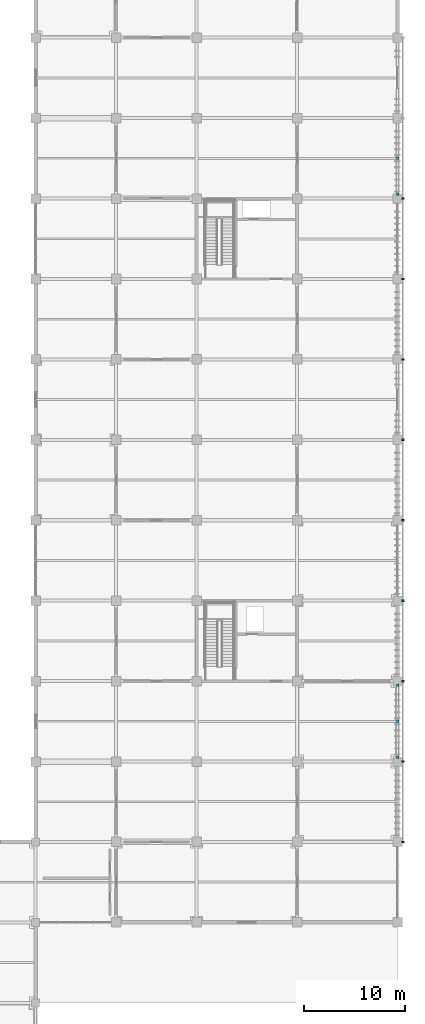
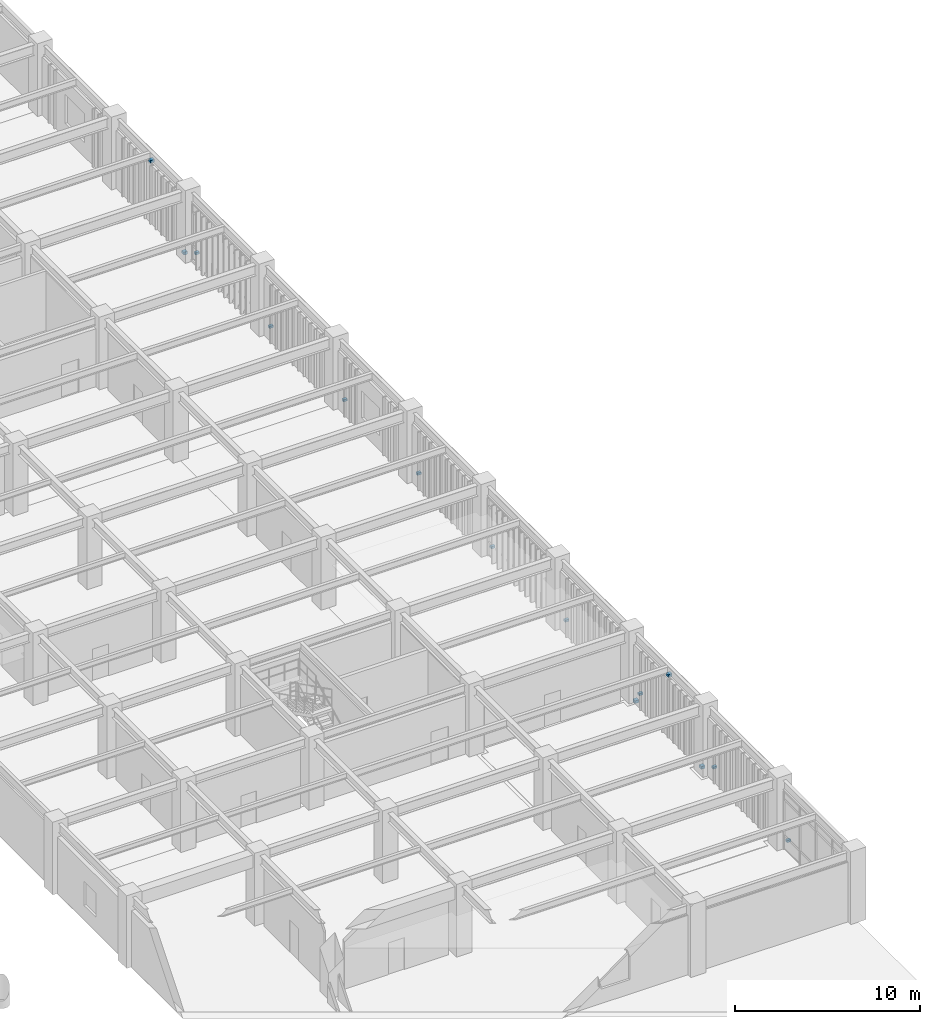
# One storey, part 87 of 109: 14 discrete accessories.
"""IFC4 building model written with IfcOpenShell, lengths in metres."""

from ifc_helpers import new_model, si_unit, direction, frame, origin, origin_2d, place, context, subcontext, project, spatial, rectangle, extrude, material, layer, layer_set, type_object, element, save


model = new_model("IFC4")

# Units and contexts
model_context = context("Model", 3, precision=1e-05, world=origin(), true_north=direction((0.0, 1.0)))
body_context = subcontext(model_context, "Body", "Model", "MODEL_VIEW")
ifc_project = project(units=[si_unit("LENGTHUNIT", "METRE"), si_unit("AREAUNIT", "SQUARE_METRE"), si_unit("VOLUMEUNIT", "CUBIC_METRE"), si_unit("PLANEANGLEUNIT", "RADIAN"), si_unit("MASSUNIT", "GRAM", prefix="KILO")], contexts=[model_context])

# Site, building, storey
site_placement = place(None, origin())
site = spatial("IfcSite", under=ifc_project, at=site_placement, CompositionType="ELEMENT")
building_placement = place(site_placement, origin())
building = spatial("IfcBuilding", under=site, at=building_placement, Name="Haebicheon Civic Stadium", CompositionType="ELEMENT")
storey_placement = place(building_placement, frame((0.0, 0.0, 9.60009765625)))
storey = spatial("IfcBuildingStorey", under=building, at=storey_placement, Name="L03", CompositionType="ELEMENT", Elevation=9.60009765625)

# Discrete accessories
ifc_material_1 = material(Name="White painted steel SM490", Category="steel")
ifc_layer_1 = layer(ifc_material_1, 0.179931640625, Name="White painted steel SM490")
ifc_layer_set_1 = layer_set([ifc_layer_1], Name="White painted steel SM490")
discrete_accessory_type_1 = type_object("IfcDiscreteAccessoryType", Name="BRK-END-PLT", PredefinedType="BRACKET", material=ifc_layer_set_1)
for number, where, z_axis, x_axis, name in (
    (1, (236.0, 56.419921875, -0.05029296875), (0.0, 0.0, 1.0), (1.0, 0.0, 0.0), "Brace L03-28-07 bolted end connection plate"),
    (2, (236.0, 63.580078125, -0.05029296875), (0.0, 0.0, 1.0), (1.0, 0.0, 0.0), "Brace L03-28-07 bolted end connection plate"),
    (3, (236.0, 60.0, 3.85009765625), (0.0, 0.0, 1.0), (1.0, 0.0, 0.0), "Brace L03-28-07 bolted end connection plate"),
    (4, (236.0, 112.419921875, -0.05029296875), (0.0, 0.0, 1.0), (1.0, 0.0, 0.0), "Brace L03-28-14 bolted end connection plate"),
    (5, (236.0, 116.0, 3.85009765625), (0.0, 0.0, 1.0), (1.0, 0.0, 0.0), "Brace L03-28-14 bolted end connection plate"),
):
    element("IfcDiscreteAccessory", number, at=place(storey_placement, frame(where, z_axis=z_axis, x_axis=x_axis)), inside=storey, type_object=discrete_accessory_type_1, material=ifc_layer_set_1, Name=name, PredefinedType="BRACKET", context=body_context, shape_type="SweptSolid", body=[
        extrude(rectangle(XDim=0.239990234375, YDim=0.239990234375, at=origin_2d()), origin(), (0.0, 0.0, 1.0), 0.179931640625),
    ])
ifc_material_2 = material(Name="Stainless steel 316", Category="steel")
ifc_layer_2 = layer(ifc_material_2, 0.139892578125, Name="Stainless steel 316")
ifc_layer_set_2 = layer_set([ifc_layer_2], Name="Stainless steel 316")
discrete_accessory_type_2 = type_object("IfcDiscreteAccessoryType", Name="BRK-LVR-CLEAT", PredefinedType="BRACKET", material=ifc_layer_set_2)
for number, where, z_axis, x_axis, name in (
    (6, (236.514892578125, 48.0, 0.009765625), (0.0, 0.0, 1.0), (1.0, 0.0, 0.0), "SCR-COMM L03 stainless bracket cleat 1A"),
    (7, (236.514892578125, 56.0, 0.009765625), (0.0, 0.0, 1.0), (1.0, 0.0, 0.0), "SCR-COMM L03 stainless bracket cleat 1B"),
    (8, (236.514892578125, 64.0, 0.009765625), (0.0, 0.0, 1.0), (1.0, 0.0, 0.0), "SCR-COMM L03 stainless bracket cleat 2B"),
    (9, (236.514892578125, 72.0, 0.009765625), (0.0, 0.0, 1.0), (1.0, 0.0, 0.0), "SCR-COMM L03 stainless bracket cleat 3B"),
    (10, (236.514892578125, 80.0, 0.009765625), (0.0, 0.0, 1.0), (1.0, 0.0, 0.0), "SCR-COMM L03 stainless bracket cleat 4B"),
    (11, (236.514892578125, 88.0, 0.009765625), (0.0, 0.0, 1.0), (1.0, 0.0, 0.0), "SCR-COMM L03 stainless bracket cleat 5B"),
    (12, (236.514892578125, 96.0, 0.009765625), (0.0, 0.0, 1.0), (1.0, 0.0, 0.0), "SCR-COMM L03 stainless bracket cleat 6B"),
    (13, (236.514892578125, 104.0, 0.009765625), (0.0, 0.0, 1.0), (1.0, 0.0, 0.0), "SCR-COMM L03 stainless bracket cleat 7B"),
    (14, (236.514892578125, 112.0, 0.009765625), (0.0, 0.0, 1.0), (1.0, 0.0, 0.0), "SCR-COMM L03 stainless bracket cleat 8B"),
):
    element("IfcDiscreteAccessory", number, at=place(storey_placement, frame(where, z_axis=z_axis, x_axis=x_axis)), inside=storey, type_object=discrete_accessory_type_2, material=ifc_layer_set_2, Name=name, PredefinedType="BRACKET", context=body_context, shape_type="SweptSolid", body=[
        extrude(rectangle(XDim=0.239990234375, YDim=0.179931640625, at=origin_2d()), origin(), (0.0, 0.0, 1.0), 0.139892578125),
    ])

save(model, "model.ifc")
